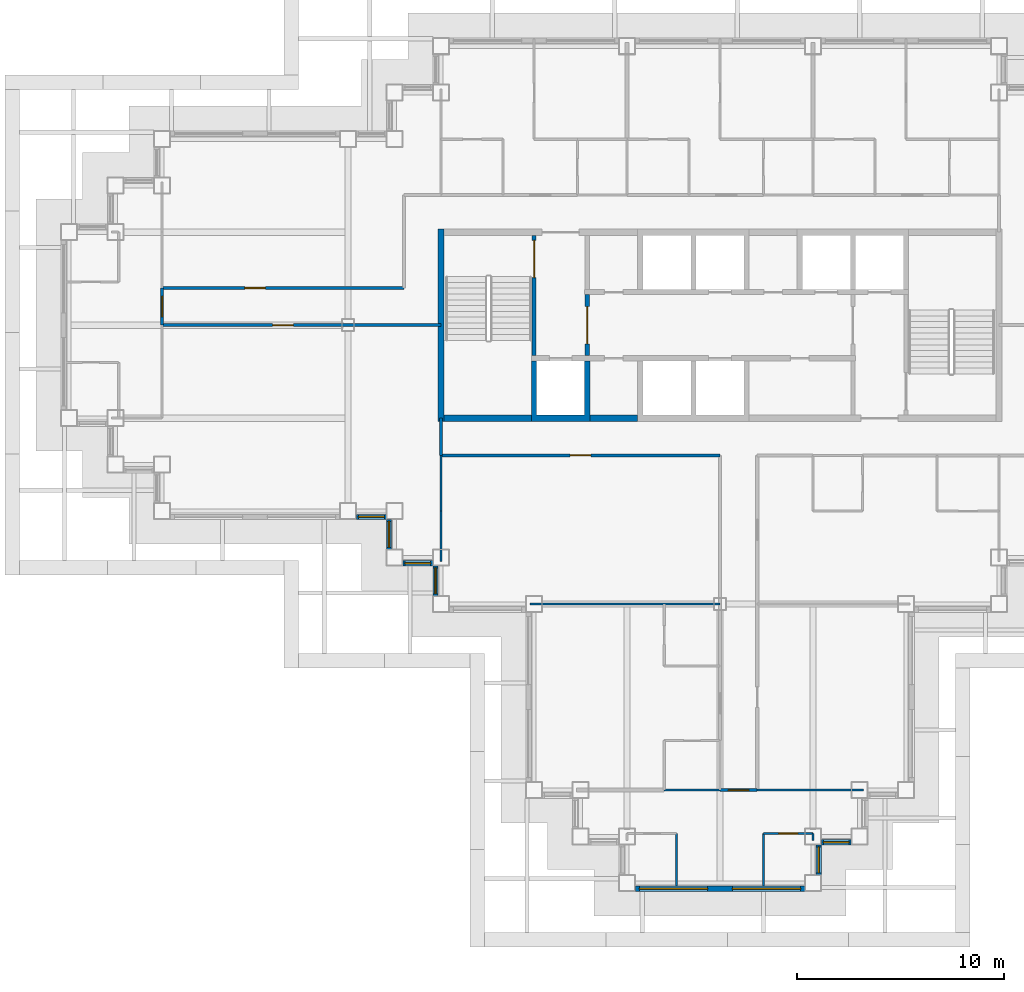
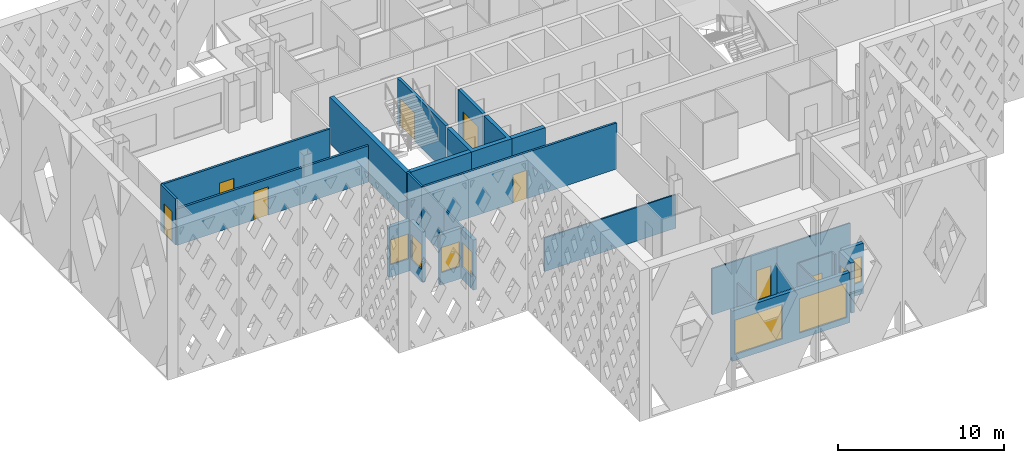
# One storey, part 4 of 18: 28 walls, 8 doors, 8 windows, 16 openings.
"""IFC4 building model written with IfcOpenShell, lengths in metres."""

import ifcopenshell
import ifcopenshell.guid

model = None  # the IFC model being written
_history = None  # IfcOwnerHistory: only IFC2X3 demands one
_inside = {}  # id of a spatial element -> (the spatial element, [elements in it])
_under = {}  # id of a project, library or spatial element -> (it, [spatial elements below it])
_declared = {}  # id of a project -> (the project, [libraries it declares])
_typed = {}  # id of a type object -> (the type object, [elements of that type])
_made_of = {}  # id of a material, layer set ... -> (it, [elements and type objects made of it])


def new_model(schema):
    """Start an empty IFC model of exactly this schema.

    Asked for "IFC4X3", IfcOpenShell would pick the latest addendum, in which some entities
    have other attributes; the version numbers below select the first issue.
    IFC2X3 requires an IfcOwnerHistory on every rooted entity: one is made here for all.
    """
    global model, _history
    if schema == "IFC4X3":
        model = ifcopenshell.file(schema_version=(4, 3, 0, 0))
    else:
        model = ifcopenshell.file(schema=schema)
    _inside.clear()
    _under.clear()
    _declared.clear()
    _typed.clear()
    _made_of.clear()
    _history = None
    if model.schema == "IFC2X3":
        org = make("IfcOrganization", Name="unknown")
        user = make(
            "IfcPersonAndOrganization",
            ThePerson=make("IfcPerson", FamilyName="unknown"),
            TheOrganization=org,
        )
        app = make(
            "IfcApplication",
            ApplicationDeveloper=org,
            Version="unknown",
            ApplicationFullName="unknown",
            ApplicationIdentifier="unknown",
        )
        _history = make(
            "IfcOwnerHistory",
            OwningUser=user,
            OwningApplication=app,
            ChangeAction="ADDED",
            CreationDate=0,
        )
    return model


def make(cls, **values):
    """One entity of the class cls with the attributes given. An attribute that is None is left unset."""
    return model.create_entity(
        cls, **{name: value for name, value in values.items() if value is not None}
    )


def rooted(cls, **values):
    """An entity with a GlobalId (a new one), such as an element, a storey or a relation."""
    return make(cls, GlobalId=ifcopenshell.guid.new(), OwnerHistory=_history, **values)


def si_unit(unit_type, name, prefix=None):
    """IfcSIUnit, for example si_unit("LENGTHUNIT", "METRE", prefix="MILLI")."""
    return make("IfcSIUnit", UnitType=unit_type, Prefix=prefix, Name=name)


def assignment(units):
    """IfcUnitAssignment: the units of a project."""
    return None if units is None else make("IfcUnitAssignment", Units=units)


def point(xyz):
    """IfcCartesianPoint."""
    return None if xyz is None else make("IfcCartesianPoint", Coordinates=xyz)


def direction(xyz):
    """IfcDirection."""
    return None if xyz is None else make("IfcDirection", DirectionRatios=xyz)


def frame(location, z_axis=None, x_axis=None):
    """IfcAxis2Placement3D, a coordinate frame: its origin and axes. An axis left out is left unset."""
    return make(
        "IfcAxis2Placement3D",
        Location=point(location),
        Axis=direction(z_axis),
        RefDirection=direction(x_axis),
    )


def frame_2d(location, x_axis=None):
    """IfcAxis2Placement2D, a coordinate frame in the plane: its origin and x axis."""
    return make(
        "IfcAxis2Placement2D", Location=point(location), RefDirection=direction(x_axis)
    )


def origin():
    """The frame at (0, 0, 0) with its axes left unset."""
    return frame((0.0, 0.0, 0.0))


def place(relative_to, where):
    """IfcLocalPlacement: puts the frame where relative to a parent placement (None: the world)."""
    return make(
        "IfcLocalPlacement", PlacementRelTo=relative_to, RelativePlacement=where
    )


def context(
    kind, dimensions, precision=None, world=None, true_north=None, identifier=None
):
    """IfcGeometricRepresentationContext, for example the 3D "Model" context."""
    return make(
        "IfcGeometricRepresentationContext",
        ContextIdentifier=identifier,
        ContextType=kind,
        CoordinateSpaceDimension=dimensions,
        Precision=precision,
        WorldCoordinateSystem=world,
        TrueNorth=true_north,
    )


def subcontext(parent, identifier, kind, view, scale=None):
    """IfcGeometricRepresentationSubContext, for example "Body" below "Model"."""
    return make(
        "IfcGeometricRepresentationSubContext",
        ContextIdentifier=identifier,
        ContextType=kind,
        ParentContext=parent,
        TargetScale=scale,
        TargetView=view,
    )


def project(units=None, contexts=None):
    """IfcProject with its units and contexts."""
    return rooted(
        "IfcProject",
        Name="project",
        RepresentationContexts=contexts,
        UnitsInContext=assignment(units),
    )


def spatial(cls, under=None, at=None, **own):
    """A site, building, storey or space (cls), placed at a placement, below another one or the project."""
    s = rooted(cls, ObjectPlacement=at, **own)
    if under is not None:
        _under.setdefault(under.id(), (under, []))[1].append(s)
    return s


def polyline(points):
    """IfcPolyline through the points."""
    return make("IfcPolyline", Points=[point(p) for p in points])


def profile(cls, at=None, kind="AREA", **sizes):
    """A parametric profile (cls). Its sizes go by their IFC names, for example OverallWidth=200.0."""
    return make(cls, ProfileType=kind, Position=at, **sizes)


def rectangle(**sizes):
    """IfcRectangleProfileDef."""
    return profile("IfcRectangleProfileDef", **sizes)


def outline(outer, holes=None, kind="AREA"):
    """IfcArbitraryClosedProfileDef: a profile drawn as a closed curve; with holes, ...WithVoids."""
    if holes is None:
        return make("IfcArbitraryClosedProfileDef", ProfileType=kind, OuterCurve=outer)
    return make(
        "IfcArbitraryProfileDefWithVoids",
        ProfileType=kind,
        OuterCurve=outer,
        InnerCurves=holes,
    )


def extrude(swept, where, along, depth):
    """IfcExtrudedAreaSolid: the profile swept, set in the frame where, extruded along a direction by depth."""
    return make(
        "IfcExtrudedAreaSolid",
        SweptArea=swept,
        Position=where,
        ExtrudedDirection=direction(along),
        Depth=depth,
    )


def shape(context_of_items, identifier, shape_type, items):
    """IfcShapeRepresentation: the items that make up one representation, for example the "Body"."""
    return make(
        "IfcShapeRepresentation",
        ContextOfItems=context_of_items,
        RepresentationIdentifier=identifier,
        RepresentationType=shape_type,
        Items=items,
    )


def material(Name=None, Category=None):
    """IfcMaterial."""
    return make("IfcMaterial", Name=Name, Category=Category)


def layer(
    of_material, thickness, ventilated=None, Name=None, Category=None, Priority=None
):
    """IfcMaterialLayer: one layer of a wall or slab, of a material (None: an air gap)."""
    return make(
        "IfcMaterialLayer",
        Material=of_material,
        LayerThickness=thickness,
        IsVentilated=ventilated,
        Name=Name,
        Category=Category,
        Priority=Priority,
    )


def layer_set(layers, Name=None):
    """IfcMaterialLayerSet."""
    return make("IfcMaterialLayerSet", MaterialLayers=layers, LayerSetName=Name)


def made_of(thing, what):
    """Note that an element or type object is made of a material, layer set ...; save() writes the relation."""
    if what is not None:
        _made_of.setdefault(what.id(), (what, []))[1].append(thing)
    return thing


def type_object(cls, material=None, **own):
    """A type object (cls), such as IfcWallType, which elements share."""
    return made_of(rooted(cls, **own), material)


def element(
    cls,
    number,
    at=None,
    inside=None,
    cuts=None,
    type_object=None,
    material=None,
    context=None,
    identifier="Body",
    shape_type=None,
    held_by="IfcProductDefinitionShape",
    body=None,
    shapes=None,
    **own,
):
    """One element of the class cls, such as IfcWall. Its Tag is "e" and its number.

    at: its placement. inside: the storey or other place that contains it. cuts: it is an
    opening in that element (IfcRelVoidsElement). A single representation is given by context,
    identifier, shape_type and body (its items); several are given by shapes. held_by: the class
    of the entity that holds the representations. save() writes the other relations.
    """
    e = rooted(cls, Tag="e%d" % number, ObjectPlacement=at, **own)
    if body is not None:
        shapes = [shape(context, identifier, shape_type, body)]
    if shapes is not None:
        e.Representation = make(held_by, Representations=shapes)
    if inside is not None:
        _inside.setdefault(inside.id(), (inside, []))[1].append(e)
    if cuts is not None:
        rooted(
            "IfcRelVoidsElement", RelatingBuildingElement=cuts, RelatedOpeningElement=e
        )
    if type_object is not None:
        _typed.setdefault(type_object.id(), (type_object, []))[1].append(e)
    return made_of(e, material)


def fill(opening, filler):
    """IfcRelFillsElement: the door or window that sits in an opening."""
    return rooted(
        "IfcRelFillsElement",
        RelatingOpeningElement=opening,
        RelatedBuildingElement=filler,
    )


def aggregate(whole, parts):
    """IfcRelAggregates: a whole, such as a stair, and the parts it consists of."""
    return rooted("IfcRelAggregates", RelatingObject=whole, RelatedObjects=parts)


def save(model, path):
    """Write the relations noted so far, then the file.

    IfcRelAggregates (storeys below a building ...), IfcRelContainedInSpatialStructure (elements
    in a storey), IfcRelDefinesByType, IfcRelAssociatesMaterial and IfcRelDeclares: one each for
    every whole, place, type object, material and project.
    """
    for whole, parts in _under.values():
        aggregate(whole, parts)
    for where, things in _inside.values():
        rooted(
            "IfcRelContainedInSpatialStructure",
            RelatedElements=things,
            RelatingStructure=where,
        )
    for kind, things in _typed.values():
        rooted("IfcRelDefinesByType", RelatedObjects=things, RelatingType=kind)
    for what, things in _made_of.values():
        rooted("IfcRelAssociatesMaterial", RelatedObjects=things, RelatingMaterial=what)
    for by, libraries in _declared.values():
        rooted("IfcRelDeclares", RelatingContext=by, RelatedDefinitions=libraries)
    model.write(path)


model = new_model("IFC4")

# Units and contexts
model_context = context("Model", 3, precision=1e-05, world=origin(), true_north=direction((0.0, 1.0)))
body_context = subcontext(model_context, "Body", "Model", "MODEL_VIEW")
ifc_project = project(units=[si_unit("LENGTHUNIT", "METRE"), si_unit("AREAUNIT", "SQUARE_METRE"), si_unit("VOLUMEUNIT", "CUBIC_METRE"), si_unit("PLANEANGLEUNIT", "RADIAN"), si_unit("MASSUNIT", "GRAM", prefix="KILO")], contexts=[model_context])

# Site, building, storey
site_placement = place(None, origin())
site = spatial("IfcSite", under=ifc_project, at=site_placement, CompositionType="ELEMENT")
building_placement = place(site_placement, origin())
building = spatial("IfcBuilding", under=site, at=building_placement, Name="Caravel Reach Hotel and Residences", CompositionType="ELEMENT")
storey_placement = place(building_placement, frame((0.0, 0.0, 165.39990234375)))
storey = spatial("IfcBuildingStorey", under=building, at=storey_placement, Name="L41", CompositionType="ELEMENT", Elevation=165.39990234375)

# Walls
ifc_material_1 = material(Name="Gypsum board on steel stud", Category="steel")
ifc_layer_1 = layer(ifc_material_1, 0.10009765625)
ifc_layer_set_1 = layer_set([ifc_layer_1], Name="Bathroom pod wall 100 mm")
wall_type_1 = type_object("IfcWallType", Name="Bathroom pod wall 100 mm", PredefinedType="PARTITIONING", material=ifc_layer_set_1)
wall_1_placement = place(storey_placement, frame((28.800048828125, 4.5, 0.0), z_axis=(0.0, 0.0, 1.0), x_axis=(1.0, 0.0, 0.0)))
element("IfcWall", 1, at=wall_1_placement, inside=storey, type_object=wall_type_1, Name="L41 wall w089", PredefinedType="PARTITIONING", context=body_context, shape_type="SweptSolid", body=[
    extrude(rectangle(XDim=2.699951171875, YDim=0.10009765625, at=frame_2d((1.35009765625, 0.0))), origin(), (0.0, 0.0, 1.0), 3.400146484375),
])
wall_2_placement = place(storey_placement, frame((29.39990234375, -0.14990234375, 0.0), z_axis=(0.0, 0.0, 1.0), x_axis=(0.0, 1.0, 0.0)))
element("IfcWall", 2, at=wall_2_placement, inside=storey, type_object=wall_type_1, Name="L41 wall w096", PredefinedType="PARTITIONING", context=body_context, shape_type="SweptSolid", body=[
    extrude(rectangle(XDim=2.5498046875, YDim=0.10009765625, at=frame_2d((1.27490234375, 0.0))), origin(), (0.0, 0.0, 1.0), 3.400146484375),
])
ifc_material_2 = material(Name="Concrete C60", Category="concrete")
ifc_layer_2 = layer(ifc_material_2, 0.300048828125)
ifc_layer_set_2 = layer_set([ifc_layer_2], Name="Core wall 300 mm EI 120")
wall_type_2 = type_object("IfcWallType", Name="Core wall 300 mm EI 120", PredefinedType="SHEAR", material=ifc_layer_set_2)
wall_3_placement = place(storey_placement, frame((18.14990234375, 22.5, 0.0), z_axis=(0.0, 0.0, 1.0), x_axis=(1.0, 0.0, 0.0)))
element("IfcWall", 3, at=wall_3_placement, inside=storey, type_object=wall_type_2, Name="L41 core wall S1", PredefinedType="SHEAR", context=body_context, shape_type="SweptSolid", body=[
    extrude(rectangle(XDim=4.22509765625, YDim=0.300048828125, at=frame_2d((2.112548828125, 0.0))), origin(), (0.0, 0.0, 1.0), 3.400146484375),
])
wall_4_placement = place(storey_placement, frame((25.196533203125, 22.5, 0.0), z_axis=(0.0, 0.0, 1.0), x_axis=(1.0, 0.0, 0.0)))
element("IfcWall", 4, at=wall_4_placement, inside=storey, type_object=wall_type_2, Name="L41 core wall S2", PredefinedType="SHEAR", context=body_context, shape_type="SweptSolid", body=[
    extrude(rectangle(XDim=2.3212890625, YDim=0.300048828125, at=frame_2d((1.16064453125, 0.0))), origin(), (0.0, 0.0, 1.0), 3.400146484375),
])
wall_5_placement = place(storey_placement, frame((18.0, 22.35009765625, 0.0), z_axis=(0.0, 0.0, 1.0), x_axis=(0.0, 1.0, 0.0)))
element("IfcWall", 5, at=wall_5_placement, inside=storey, type_object=wall_type_2, Name="L41 core wall W", PredefinedType="SHEAR", context=body_context, shape_type="SweptSolid", body=[
    extrude(rectangle(XDim=9.2998046875, YDim=0.300048828125, at=frame_2d((4.64990234375, 0.0))), origin(), (0.0, 0.0, 1.0), 3.400146484375),
])

# Wall, opening, door
ifc_material_3 = material(Name="Gypsum board on steel stud, fire-rated", Category="steel")
ifc_layer_3 = layer(ifc_material_3, 0.14990234375)
ifc_layer_set_3 = layer_set([ifc_layer_3], Name="Corridor wall 150 mm EI 60")
wall_type_3 = type_object("IfcWallType", Name="Corridor wall 150 mm EI 60", PredefinedType="PARTITIONING", material=ifc_layer_set_3)
wall_6_placement = place(storey_placement, frame((18.0, 20.699951171875, 0.0), z_axis=(0.0, 0.0, 1.0), x_axis=(1.0, 0.0, 0.0)))
wall_6 = element("IfcWall", 6, at=wall_6_placement, inside=storey, type_object=wall_type_3, Name="L41 wall w005", PredefinedType="PARTITIONING", context=body_context, shape_type="SweptSolid", body=[
    extrude(rectangle(XDim=13.5, YDim=0.14990234375, at=frame_2d((6.75, 0.0))), origin(), (0.0, 0.0, 1.0), 3.400146484375),
])
opening_1_placement = place(wall_6_placement, frame((6.25, 0.0, 0.0)))
opening_1 = element("IfcOpeningElement", 7, at=opening_1_placement, cuts=wall_6, Name="Opening D41-032", PredefinedType="OPENING", context=body_context, shape_type="SweptSolid", body=[
    extrude(rectangle(XDim=1.0, YDim=2.10009765625, at=frame_2d((0.5, 1.050048828125))), frame((0.0, 0.0849609375, 0.0), z_axis=(0.0, -1.0, 0.0), x_axis=(1.0, 0.0, 0.0)), (0.0, 0.0, 1.0), 0.169921875),
])
ifc_material_4 = material(Name="Steel fire door leaf", Category="steel")
door_type_1 = type_object("IfcDoorType", Name="Fire door 1000 x 2100 EI 60", OperationType="SINGLE_SWING_LEFT", PredefinedType="DOOR", material=ifc_material_4)
door_1_placement = place(opening_1_placement, origin())
door_1 = element("IfcDoor", 8, at=door_1_placement, inside=storey, type_object=door_type_1, Name="door D41-032", OperationType="SINGLE_SWING_LEFT", OverallHeight=2.10009765625, OverallWidth=1.0, PredefinedType="DOOR", context=body_context, shape_type="SweptSolid", body=[
    extrude(rectangle(XDim=1.0, YDim=2.10009765625, at=frame_2d((0.5, 1.050048828125))), frame((0.0, 0.02490234375, 0.0), z_axis=(0.0, -1.0, 0.0), x_axis=(1.0, 0.0, 0.0)), (0.0, 0.0, 1.0), 0.050048828125),
])
fill(opening_1, door_1)

wall_7_placement = place(storey_placement, frame((4.5, 27.0, 0.0), z_axis=(0.0, 0.0, 1.0), x_axis=(1.0, 0.0, 0.0)))
wall_7 = element("IfcWall", 9, at=wall_7_placement, inside=storey, type_object=wall_type_3, Name="L41 wall w008", PredefinedType="PARTITIONING", context=body_context, shape_type="SweptSolid", body=[
    extrude(rectangle(XDim=13.5, YDim=0.14990234375, at=frame_2d((6.75, 0.0))), origin(), (0.0, 0.0, 1.0), 2.68017578125),
])
opening_2_placement = place(wall_7_placement, frame((5.35009765625, 0.0, 0.0)))
opening_2 = element("IfcOpeningElement", 10, at=opening_2_placement, cuts=wall_7, Name="Opening D41-029", PredefinedType="OPENING", context=body_context, shape_type="SweptSolid", body=[
    extrude(rectangle(XDim=1.0, YDim=2.10009765625, at=frame_2d((0.5, 1.050048828125))), frame((0.0, 0.0849609375, 0.0), z_axis=(0.0, -1.0, 0.0), x_axis=(1.0, 0.0, 0.0)), (0.0, 0.0, 1.0), 0.169921875),
])
door_2_placement = place(opening_2_placement, origin())
door_2 = element("IfcDoor", 11, at=door_2_placement, inside=storey, type_object=door_type_1, Name="door D41-029", OperationType="SINGLE_SWING_LEFT", OverallHeight=2.10009765625, OverallWidth=1.0, PredefinedType="DOOR", context=body_context, shape_type="SweptSolid", body=[
    extrude(rectangle(XDim=1.0, YDim=2.10009765625, at=frame_2d((0.5, 1.050048828125))), frame((0.0, 0.02490234375, 0.0), z_axis=(0.0, -1.0, 0.0), x_axis=(1.0, 0.0, 0.0)), (0.0, 0.0, 1.0), 0.050048828125),
])
fill(opening_2, door_2)

wall_8_placement = place(storey_placement, frame((4.5, 28.800048828125, 0.0), z_axis=(0.0, 0.0, 1.0), x_axis=(1.0, 0.0, 0.0)))
wall_8 = element("IfcWall", 12, at=wall_8_placement, inside=storey, type_object=wall_type_3, Name="L41 wall w010", PredefinedType="PARTITIONING", context=body_context, shape_type="SweptSolid", body=[
    extrude(rectangle(XDim=11.698974609375, YDim=0.14990234375, at=frame_2d((5.849609375, 0.0))), origin(), (0.0, 0.0, 1.0), 3.400146484375),
])
opening_3_placement = place(wall_8_placement, frame((4.0, 0.0, 0.0)))
opening_3 = element("IfcOpeningElement", 13, at=opening_3_placement, cuts=wall_8, Name="Opening D41-028", PredefinedType="OPENING", context=body_context, shape_type="SweptSolid", body=[
    extrude(rectangle(XDim=1.0, YDim=2.10009765625, at=frame_2d((0.5, 1.050048828125))), frame((0.0, 0.0849609375, 0.0), z_axis=(0.0, -1.0, 0.0), x_axis=(1.0, 0.0, 0.0)), (0.0, 0.0, 1.0), 0.169921875),
])
door_3_placement = place(opening_3_placement, origin())
door_3 = element("IfcDoor", 14, at=door_3_placement, inside=storey, type_object=door_type_1, Name="door D41-028", OperationType="SINGLE_SWING_LEFT", OverallHeight=2.10009765625, OverallWidth=1.0, PredefinedType="DOOR", context=body_context, shape_type="SweptSolid", body=[
    extrude(rectangle(XDim=1.0, YDim=2.10009765625, at=frame_2d((0.5, 1.050048828125))), frame((0.0, 0.02490234375, 0.0), z_axis=(0.0, -1.0, 0.0), x_axis=(1.0, 0.0, 0.0)), (0.0, 0.0, 1.0), 0.050048828125),
])
fill(opening_3, door_3)

wall_9_placement = place(storey_placement, frame((31.5, 4.5, 0.0), z_axis=(0.0, 0.0, 1.0), x_axis=(1.0, 0.0, 0.0)))
wall_9 = element("IfcWall", 15, at=wall_9_placement, inside=storey, type_object=wall_type_3, Name="L41 wall w019", PredefinedType="PARTITIONING", context=body_context, shape_type="SweptSolid", body=[
    extrude(rectangle(XDim=1.800048828125, YDim=0.14990234375, at=frame_2d((0.89990234375, 0.0))), origin(), (0.0, 0.0, 1.0), 3.400146484375),
])
opening_4_placement = place(wall_9_placement, frame((0.39990234375, 0.0, 0.0)))
opening_4 = element("IfcOpeningElement", 16, at=opening_4_placement, cuts=wall_9, Name="Opening D41-046", PredefinedType="OPENING", context=body_context, shape_type="SweptSolid", body=[
    extrude(rectangle(XDim=1.0, YDim=2.199951171875, at=frame_2d((0.5, 1.10009765625))), frame((0.0, 0.0849609375, 0.0), z_axis=(0.0, -1.0, 0.0), x_axis=(1.0, 0.0, 0.0)), (0.0, 0.0, 1.0), 0.169921875),
])
ifc_material_5 = material(Name="Steel fire door leaf", Category="steel")
door_type_2 = type_object("IfcDoorType", Name="Flat entrance door 1000 x 2200 EI 60", OperationType="SINGLE_SWING_LEFT", PredefinedType="DOOR", material=ifc_material_5)
door_4_placement = place(opening_4_placement, origin())
door_4 = element("IfcDoor", 17, at=door_4_placement, inside=storey, type_object=door_type_2, Name="door D41-046", OperationType="SINGLE_SWING_LEFT", OverallHeight=2.199951171875, OverallWidth=1.0, PredefinedType="DOOR", context=body_context, shape_type="SweptSolid", body=[
    extrude(rectangle(XDim=1.0, YDim=2.199951171875, at=frame_2d((0.5, 1.10009765625))), frame((0.0, 0.02490234375, 0.0), z_axis=(0.0, -1.0, 0.0), x_axis=(1.0, 0.0, 0.0)), (0.0, 0.0, 1.0), 0.050048828125),
])
fill(opening_4, door_4)

# Wall
wall_10_placement = place(storey_placement, frame((18.0, 20.699951171875, 0.0), z_axis=(0.0, 0.0, 1.0), x_axis=(0.0, 1.0, 0.0)))
element("IfcWall", 18, at=wall_10_placement, inside=storey, type_object=wall_type_3, Name="L41 wall w021", PredefinedType="PARTITIONING", context=body_context, shape_type="SweptSolid", body=[
    extrude(rectangle(XDim=1.800048828125, YDim=0.14990234375, at=frame_2d((0.89990234375, 0.0))), origin(), (0.0, 0.0, 1.0), 3.400146484375),
])

# Wall, opening, door
wall_11_placement = place(storey_placement, frame((4.5, 27.0, 0.0), z_axis=(0.0, 0.0, 1.0), x_axis=(0.0, 1.0, 0.0)))
wall_11 = element("IfcWall", 19, at=wall_11_placement, inside=storey, type_object=wall_type_3, Name="L41 wall w027", PredefinedType="PARTITIONING", context=body_context, shape_type="SweptSolid", body=[
    extrude(rectangle(XDim=1.800048828125, YDim=0.14990234375, at=frame_2d((0.89990234375, 0.0))), origin(), (0.0, 0.0, 1.0), 3.400146484375),
])
opening_5_placement = place(wall_11_placement, frame((0.39990234375, 0.0, 0.0)))
opening_5 = element("IfcOpeningElement", 20, at=opening_5_placement, cuts=wall_11, Name="Opening D41-040", PredefinedType="OPENING", context=body_context, shape_type="SweptSolid", body=[
    extrude(rectangle(XDim=1.0, YDim=2.199951171875, at=frame_2d((0.5, 1.10009765625))), frame((0.0, 0.0849609375, 0.0), z_axis=(0.0, -1.0, 0.0), x_axis=(1.0, 0.0, 0.0)), (0.0, 0.0, 1.0), 0.169921875),
])
door_5_placement = place(opening_5_placement, origin())
door_5 = element("IfcDoor", 21, at=door_5_placement, inside=storey, type_object=door_type_2, Name="door D41-040", OperationType="SINGLE_SWING_LEFT", OverallHeight=2.199951171875, OverallWidth=1.0, PredefinedType="DOOR", context=body_context, shape_type="SweptSolid", body=[
    extrude(rectangle(XDim=1.0, YDim=2.199951171875, at=frame_2d((0.5, 1.10009765625))), frame((0.0, 0.02490234375, 0.0), z_axis=(0.0, -1.0, 0.0), x_axis=(1.0, 0.0, 0.0)), (0.0, 0.0, 1.0), 0.050048828125),
])
fill(opening_5, door_5)

# Wall, openings, windows
ifc_material_6 = material(Name="Insulated rainscreen wall, aluminium cladding", Category="aluminium")
ifc_layer_4 = layer(ifc_material_6, 0.25)
ifc_layer_set_4 = layer_set([ifc_layer_4], Name="EW1 Tower rainscreen wall")
wall_type_4 = type_object("IfcWallType", Name="EW1 Tower rainscreen wall", PredefinedType="SOLIDWALL", material=ifc_layer_set_4)
wall_12_placement = place(storey_placement, frame((27.39990234375, -0.27490234375, 0.0), z_axis=(0.0, 0.0, 1.0), x_axis=(1.0, 0.0, 0.0)))
wall_12 = element("IfcWall", 22, at=wall_12_placement, inside=storey, type_object=wall_type_4, Name="External wall L41 S5.1", PredefinedType="SOLIDWALL", context=body_context, shape_type="SweptSolid", body=[
    extrude(rectangle(XDim=8.2001953125, YDim=0.25, at=frame_2d((4.10009765625, 0.0))), origin(), (0.0, 0.0, 1.0), 3.7001953125),
])
opening_6_placement = place(wall_12_placement, frame((0.199951171875, 0.0, 0.449951171875)))
opening_6 = element("IfcOpeningElement", 23, at=opening_6_placement, cuts=wall_12, Name="Opening WN14", PredefinedType="OPENING", context=body_context, shape_type="SweptSolid", body=[
    extrude(rectangle(XDim=3.300048828125, YDim=2.530029296875, at=frame_2d((1.64990234375, 1.26513671875))), frame((0.0, 0.135009765625, 0.0), z_axis=(0.0, -1.0, 0.0), x_axis=(1.0, 0.0, 0.0)), (0.0, 0.0, 1.0), 0.27001953125),
])
opening_7_placement = place(wall_12_placement, frame((4.699951171875, 0.0, 0.449951171875)))
opening_7 = element("IfcOpeningElement", 24, at=opening_7_placement, cuts=wall_12, Name="Opening WN14", PredefinedType="OPENING", context=body_context, shape_type="SweptSolid", body=[
    extrude(rectangle(XDim=3.300048828125, YDim=2.530029296875, at=frame_2d((1.64990234375, 1.26513671875))), frame((0.0, 0.135009765625, 0.0), z_axis=(0.0, -1.0, 0.0), x_axis=(1.0, 0.0, 0.0)), (0.0, 0.0, 1.0), 0.27001953125),
])
ifc_material_7 = material(Name="Dark low-e glazing in black aluminium frame", Category="aluminium")
window_type_1 = type_object("IfcWindowType", Name="Residence living window 3300 x 2530", PartitioningType="SINGLE_PANEL", PredefinedType="WINDOW", material=ifc_material_7)
window_1_placement = place(opening_6_placement, origin())
window_1 = element("IfcWindow", 25, at=window_1_placement, inside=storey, type_object=window_type_1, Name="Window L41 S5.1.1", OverallHeight=2.530029296875, OverallWidth=3.300048828125, PartitioningType="SINGLE_PANEL", PredefinedType="WINDOW", context=body_context, shape_type="SweptSolid", body=[
    extrude(rectangle(XDim=3.300048828125, YDim=2.530029296875, at=frame_2d((1.64990234375, 1.26513671875))), frame((0.0, 0.030029296875, 0.0), z_axis=(0.0, -1.0, 0.0), x_axis=(1.0, 0.0, 0.0)), (0.0, 0.0, 1.0), 0.06005859375),
])
fill(opening_6, window_1)
window_2_placement = place(opening_7_placement, origin())
window_2 = element("IfcWindow", 26, at=window_2_placement, inside=storey, type_object=window_type_1, Name="Window L41 S5.1.2", OverallHeight=2.530029296875, OverallWidth=3.300048828125, PartitioningType="SINGLE_PANEL", PredefinedType="WINDOW", context=body_context, shape_type="SweptSolid", body=[
    extrude(rectangle(XDim=3.300048828125, YDim=2.530029296875, at=frame_2d((1.64990234375, 1.26513671875))), frame((0.0, 0.030029296875, 0.0), z_axis=(0.0, -1.0, 0.0), x_axis=(1.0, 0.0, 0.0)), (0.0, 0.0, 1.0), 0.06005859375),
])
fill(opening_7, window_2)

# Wall, opening, window
wall_13_placement = place(storey_placement, frame((36.27490234375, 0.39990234375, 0.0), z_axis=(0.0, 0.0, 1.0), x_axis=(0.0, 1.0, 0.0)))
wall_13 = element("IfcWall", 27, at=wall_13_placement, inside=storey, type_object=wall_type_4, Name="External wall L41 E6.1", PredefinedType="SOLIDWALL", context=body_context, shape_type="SweptSolid", body=[
    extrude(rectangle(XDim=1.4501953125, YDim=0.25, at=frame_2d((0.72509765625, 0.0))), origin(), (0.0, 0.0, 1.0), 3.7001953125),
])
opening_8_placement = place(wall_13_placement, frame((0.10009765625, 0.0, 0.89990234375)))
opening_8 = element("IfcOpeningElement", 28, at=opening_8_placement, cuts=wall_13, Name="Opening WN13", PredefinedType="OPENING", context=body_context, shape_type="SweptSolid", body=[
    extrude(rectangle(XDim=1.25, YDim=1.85009765625, at=frame_2d((0.625, 0.925048828125))), frame((0.0, 0.135009765625, 0.0), z_axis=(0.0, -1.0, 0.0), x_axis=(1.0, 0.0, 0.0)), (0.0, 0.0, 1.0), 0.27001953125),
])
ifc_material_8 = material(Name="Dark low-e glazing in black aluminium frame", Category="aluminium")
window_type_2 = type_object("IfcWindowType", Name="Residence bedroom window 1250 x 1850", PartitioningType="SINGLE_PANEL", PredefinedType="WINDOW", material=ifc_material_8)
window_3_placement = place(opening_8_placement, origin())
window_3 = element("IfcWindow", 29, at=window_3_placement, inside=storey, type_object=window_type_2, Name="Window L41 E6.1.1", OverallHeight=1.85009765625, OverallWidth=1.25, PartitioningType="SINGLE_PANEL", PredefinedType="WINDOW", context=body_context, shape_type="SweptSolid", body=[
    extrude(rectangle(XDim=1.25, YDim=1.85009765625, at=frame_2d((0.625, 0.925048828125))), frame((0.0, 0.030029296875, 0.0), z_axis=(0.0, -1.0, 0.0), x_axis=(1.0, 0.0, 0.0)), (0.0, 0.0, 1.0), 0.06005859375),
])
fill(opening_8, window_3)

wall_14_placement = place(storey_placement, frame((36.39990234375, 1.97509765625, 0.0), z_axis=(0.0, 0.0, 1.0), x_axis=(1.0, 0.0, 0.0)))
wall_14 = element("IfcWall", 30, at=wall_14_placement, inside=storey, type_object=wall_type_4, Name="External wall L41 S7.1", PredefinedType="SOLIDWALL", context=body_context, shape_type="SweptSolid", body=[
    extrude(rectangle(XDim=1.4501953125, YDim=0.25, at=frame_2d((0.72509765625, 0.0))), origin(), (0.0, 0.0, 1.0), 3.7001953125),
])
opening_9_placement = place(wall_14_placement, frame((0.10009765625, 0.0, 0.89990234375)))
opening_9 = element("IfcOpeningElement", 31, at=opening_9_placement, cuts=wall_14, Name="Opening WN13", PredefinedType="OPENING", context=body_context, shape_type="SweptSolid", body=[
    extrude(rectangle(XDim=1.25, YDim=1.85009765625, at=frame_2d((0.625, 0.925048828125))), frame((0.0, 0.135009765625, 0.0), z_axis=(0.0, -1.0, 0.0), x_axis=(1.0, 0.0, 0.0)), (0.0, 0.0, 1.0), 0.27001953125),
])
window_4_placement = place(opening_9_placement, origin())
window_4 = element("IfcWindow", 32, at=window_4_placement, inside=storey, type_object=window_type_2, Name="Window L41 S7.1.1", OverallHeight=1.85009765625, OverallWidth=1.25, PartitioningType="SINGLE_PANEL", PredefinedType="WINDOW", context=body_context, shape_type="SweptSolid", body=[
    extrude(rectangle(XDim=1.25, YDim=1.85009765625, at=frame_2d((0.625, 0.925048828125))), frame((0.0, 0.030029296875, 0.0), z_axis=(0.0, -1.0, 0.0), x_axis=(1.0, 0.0, 0.0)), (0.0, 0.0, 1.0), 0.06005859375),
])
fill(opening_9, window_4)

wall_15_placement = place(storey_placement, frame((13.89990234375, 17.72509765625, 0.0), z_axis=(0.0, 0.0, 1.0), x_axis=(1.0, 0.0, 0.0)))
wall_15 = element("IfcWall", 33, at=wall_15_placement, inside=storey, type_object=wall_type_4, Name="External wall L41 S43.2", PredefinedType="SOLIDWALL", context=body_context, shape_type="SweptSolid", body=[
    extrude(rectangle(XDim=1.4501953125, YDim=0.25, at=frame_2d((0.72509765625, 0.0))), origin(), (0.0, 0.0, 1.0), 3.7001953125),
])
opening_10_placement = place(wall_15_placement, frame((0.10009765625, 0.0, 0.89990234375)))
opening_10 = element("IfcOpeningElement", 34, at=opening_10_placement, cuts=wall_15, Name="Opening WN13", PredefinedType="OPENING", context=body_context, shape_type="SweptSolid", body=[
    extrude(rectangle(XDim=1.25, YDim=1.85009765625, at=frame_2d((0.625, 0.925048828125))), frame((0.0, 0.135009765625, 0.0), z_axis=(0.0, -1.0, 0.0), x_axis=(1.0, 0.0, 0.0)), (0.0, 0.0, 1.0), 0.27001953125),
])
window_5_placement = place(opening_10_placement, origin())
window_5 = element("IfcWindow", 35, at=window_5_placement, inside=storey, type_object=window_type_2, Name="Window L41 S43.2.1", OverallHeight=1.85009765625, OverallWidth=1.25, PartitioningType="SINGLE_PANEL", PredefinedType="WINDOW", context=body_context, shape_type="SweptSolid", body=[
    extrude(rectangle(XDim=1.25, YDim=1.85009765625, at=frame_2d((0.625, 0.925048828125))), frame((0.0, 0.030029296875, 0.0), z_axis=(0.0, -1.0, 0.0), x_axis=(1.0, 0.0, 0.0)), (0.0, 0.0, 1.0), 0.06005859375),
])
fill(opening_10, window_5)

wall_16_placement = place(storey_placement, frame((15.47509765625, 17.60009765625, 0.0), z_axis=(0.0, 0.0, 1.0), x_axis=(0.0, -1.0, 0.0)))
wall_16 = element("IfcWall", 36, at=wall_16_placement, inside=storey, type_object=wall_type_4, Name="External wall L41 W44.1", PredefinedType="SOLIDWALL", context=body_context, shape_type="SweptSolid", body=[
    extrude(rectangle(XDim=1.4501953125, YDim=0.25, at=frame_2d((0.72509765625, 0.0))), origin(), (0.0, 0.0, 1.0), 3.7001953125),
])
opening_11_placement = place(wall_16_placement, frame((0.10009765625, 0.0, 0.89990234375)))
opening_11 = element("IfcOpeningElement", 37, at=opening_11_placement, cuts=wall_16, Name="Opening WN13", PredefinedType="OPENING", context=body_context, shape_type="SweptSolid", body=[
    extrude(rectangle(XDim=1.25, YDim=1.85009765625, at=frame_2d((0.625, 0.925048828125))), frame((0.0, 0.135009765625, 0.0), z_axis=(0.0, -1.0, 0.0), x_axis=(1.0, 0.0, 0.0)), (0.0, 0.0, 1.0), 0.27001953125),
])
window_6_placement = place(opening_11_placement, origin())
window_6 = element("IfcWindow", 38, at=window_6_placement, inside=storey, type_object=window_type_2, Name="Window L41 W44.1.1", OverallHeight=1.85009765625, OverallWidth=1.25, PartitioningType="SINGLE_PANEL", PredefinedType="WINDOW", context=body_context, shape_type="SweptSolid", body=[
    extrude(rectangle(XDim=1.25, YDim=1.85009765625, at=frame_2d((0.625, 0.925048828125))), frame((0.0, 0.030029296875, 0.0), z_axis=(0.0, -1.0, 0.0), x_axis=(1.0, 0.0, 0.0)), (0.0, 0.0, 1.0), 0.06005859375),
])
fill(opening_11, window_6)

wall_17_placement = place(storey_placement, frame((16.14990234375, 15.47509765625, 0.0), z_axis=(0.0, 0.0, 1.0), x_axis=(1.0, 0.0, 0.0)))
wall_17 = element("IfcWall", 39, at=wall_17_placement, inside=storey, type_object=wall_type_4, Name="External wall L41 S45.1", PredefinedType="SOLIDWALL", context=body_context, shape_type="SweptSolid", body=[
    extrude(rectangle(XDim=1.4501953125, YDim=0.25, at=frame_2d((0.72509765625, 0.0))), origin(), (0.0, 0.0, 1.0), 3.7001953125),
])
opening_12_placement = place(wall_17_placement, frame((0.10009765625, 0.0, 0.89990234375)))
opening_12 = element("IfcOpeningElement", 40, at=opening_12_placement, cuts=wall_17, Name="Opening WN13", PredefinedType="OPENING", context=body_context, shape_type="SweptSolid", body=[
    extrude(rectangle(XDim=1.25, YDim=1.85009765625, at=frame_2d((0.625, 0.925048828125))), frame((0.0, 0.135009765625, 0.0), z_axis=(0.0, -1.0, 0.0), x_axis=(1.0, 0.0, 0.0)), (0.0, 0.0, 1.0), 0.27001953125),
])
window_7_placement = place(opening_12_placement, origin())
window_7 = element("IfcWindow", 41, at=window_7_placement, inside=storey, type_object=window_type_2, Name="Window L41 S45.1.1", OverallHeight=1.85009765625, OverallWidth=1.25, PartitioningType="SINGLE_PANEL", PredefinedType="WINDOW", context=body_context, shape_type="SweptSolid", body=[
    extrude(rectangle(XDim=1.25, YDim=1.85009765625, at=frame_2d((0.625, 0.925048828125))), frame((0.0, 0.030029296875, 0.0), z_axis=(0.0, -1.0, 0.0), x_axis=(1.0, 0.0, 0.0)), (0.0, 0.0, 1.0), 0.06005859375),
])
fill(opening_12, window_7)

wall_18_placement = place(storey_placement, frame((17.72509765625, 15.35009765625, 0.0), z_axis=(0.0, 0.0, 1.0), x_axis=(0.0, -1.0, 0.0)))
wall_18 = element("IfcWall", 42, at=wall_18_placement, inside=storey, type_object=wall_type_4, Name="External wall L41 W46.1", PredefinedType="SOLIDWALL", context=body_context, shape_type="SweptSolid", body=[
    extrude(rectangle(XDim=1.4501953125, YDim=0.25, at=frame_2d((0.72509765625, 0.0))), origin(), (0.0, 0.0, 1.0), 3.7001953125),
])
opening_13_placement = place(wall_18_placement, frame((0.10009765625, 0.0, 0.89990234375)))
opening_13 = element("IfcOpeningElement", 43, at=opening_13_placement, cuts=wall_18, Name="Opening WN13", PredefinedType="OPENING", context=body_context, shape_type="SweptSolid", body=[
    extrude(rectangle(XDim=1.25, YDim=1.85009765625, at=frame_2d((0.625, 0.925048828125))), frame((0.0, 0.135009765625, 0.0), z_axis=(0.0, -1.0, 0.0), x_axis=(1.0, 0.0, 0.0)), (0.0, 0.0, 1.0), 0.27001953125),
])
window_8_placement = place(opening_13_placement, origin())
window_8 = element("IfcWindow", 44, at=window_8_placement, inside=storey, type_object=window_type_2, Name="Window L41 W46.1.1", OverallHeight=1.85009765625, OverallWidth=1.25, PartitioningType="SINGLE_PANEL", PredefinedType="WINDOW", context=body_context, shape_type="SweptSolid", body=[
    extrude(rectangle(XDim=1.25, YDim=1.85009765625, at=frame_2d((0.625, 0.925048828125))), frame((0.0, 0.030029296875, 0.0), z_axis=(0.0, -1.0, 0.0), x_axis=(1.0, 0.0, 0.0)), (0.0, 0.0, 1.0), 0.06005859375),
])
fill(opening_13, window_8)

# Wall, opening, door
ifc_material_9 = material(Name="Autoclaved aerated block wall")
ifc_layer_5 = layer(ifc_material_9, 0.199951171875)
ifc_layer_set_5 = layer_set([ifc_layer_5], Name="Fire lobby wall 200 mm EI 120")
wall_type_5 = type_object("IfcWallType", Name="Fire lobby wall 200 mm EI 120", PredefinedType="PARTITIONING", material=ifc_layer_set_5)
wall_19_placement = place(storey_placement, frame((25.071533203125, 25.52490234375, 0.0), z_axis=(0.0, 0.0, 1.0), x_axis=(0.0, 1.0, 0.0)))
wall_19 = element("IfcWall", 45, at=wall_19_placement, inside=storey, type_object=wall_type_5, Name="L41 lobby W wall", PredefinedType="PARTITIONING", context=body_context, shape_type="SweptSolid", body=[
    extrude(rectangle(XDim=2.9501953125, YDim=0.199951171875, at=frame_2d((1.47509765625, 0.0))), origin(), (0.0, 0.0, 1.0), 3.400146484375),
])
opening_14_placement = place(wall_19_placement, frame((0.574951171875, 0.0, 0.0)))
opening_14 = element("IfcOpeningElement", 46, at=opening_14_placement, cuts=wall_19, Name="Opening D41-012", PredefinedType="OPENING", context=body_context, shape_type="SweptSolid", body=[
    extrude(rectangle(XDim=1.800048828125, YDim=2.10009765625, at=frame_2d((0.89990234375, 1.050048828125))), frame((0.0, 0.10986328125, 0.0), z_axis=(0.0, -1.0, 0.0), x_axis=(1.0, 0.0, 0.0)), (0.0, 0.0, 1.0), 0.219970703125),
])
ifc_material_10 = material(Name="Steel fire door leaf", Category="steel")
door_type_3 = type_object("IfcDoorType", Name="Fire lobby door pair 1800 x 2100 EI 90", OperationType="DOUBLE_DOOR_SINGLE_SWING", PredefinedType="DOOR", material=ifc_material_10)
door_6_placement = place(opening_14_placement, origin())
door_6 = element("IfcDoor", 47, at=door_6_placement, inside=storey, type_object=door_type_3, Name="lobby W door pair", OperationType="DOUBLE_DOOR_SINGLE_SWING", OverallHeight=2.10009765625, OverallWidth=1.800048828125, PredefinedType="DOOR", context=body_context, shape_type="SweptSolid", body=[
    extrude(rectangle(XDim=1.800048828125, YDim=2.10009765625, at=frame_2d((0.89990234375, 1.050048828125))), frame((0.0, 0.02490234375, 0.0), z_axis=(0.0, -1.0, 0.0), x_axis=(1.0, 0.0, 0.0)), (0.0, 0.0, 1.0), 0.050048828125),
])
fill(opening_14, door_6)

# Wall
ifc_material_11 = material(Name="Gypsum board on steel stud", Category="steel")
ifc_layer_6 = layer(ifc_material_11, 0.10009765625)
ifc_layer_set_6 = layer_set([ifc_layer_6], Name="Partition 100 mm")
wall_type_6 = type_object("IfcWallType", Name="Partition 100 mm", PredefinedType="PARTITIONING", material=ifc_layer_set_6)
wall_20_placement = place(storey_placement, frame((22.31005859375, 13.5, 0.0), z_axis=(0.0, 0.0, 1.0), x_axis=(1.0, 0.0, 0.0)))
element("IfcWall", 48, at=wall_20_placement, inside=storey, type_object=wall_type_6, Name="L41 wall w034", PredefinedType="PARTITIONING", context=body_context, shape_type="SweptSolid", body=[
    extrude(rectangle(XDim=9.18994140625, YDim=0.10009765625, at=frame_2d((4.594970703125, 0.0))), origin(), (0.0, 0.0, 1.0), 2.47998046875),
])

# Wall, opening, door
wall_21_placement = place(storey_placement, frame((33.60009765625, 2.39990234375, 0.0), z_axis=(0.0, 0.0, 1.0), x_axis=(1.0, 0.0, 0.0)))
wall_21 = element("IfcWall", 49, at=wall_21_placement, inside=storey, type_object=wall_type_6, Name="L41 wall w037", PredefinedType="PARTITIONING", context=body_context, shape_type="SweptSolid", body=[
    extrude(rectangle(XDim=2.39990234375, YDim=0.10009765625, at=frame_2d((1.199951171875, 0.0))), origin(), (0.0, 0.0, 1.0), 3.400146484375),
])
opening_15_placement = place(wall_21_placement, frame((0.75, 0.0, 0.0)))
opening_15 = element("IfcOpeningElement", 50, at=opening_15_placement, cuts=wall_21, Name="Opening D41-048", PredefinedType="OPENING", context=body_context, shape_type="SweptSolid", body=[
    extrude(rectangle(XDim=0.89990234375, YDim=2.10009765625, at=frame_2d((0.449951171875, 1.050048828125))), frame((0.0, 0.06005859375, 0.0), z_axis=(0.0, -1.0, 0.0), x_axis=(1.0, 0.0, 0.0)), (0.0, 0.0, 1.0), 0.1201171875),
])
ifc_material_12 = material(Name="Timber and steel door leaf", Category="steel")
door_type_4 = type_object("IfcDoorType", Name="Door 900 x 2100 timber", OperationType="SINGLE_SWING_LEFT", PredefinedType="DOOR", material=ifc_material_12)
door_7_placement = place(opening_15_placement, origin())
door_7 = element("IfcDoor", 51, at=door_7_placement, inside=storey, type_object=door_type_4, Name="door D41-048", OperationType="SINGLE_SWING_LEFT", OverallHeight=2.10009765625, OverallWidth=0.89990234375, PredefinedType="DOOR", context=body_context, shape_type="SweptSolid", body=[
    extrude(rectangle(XDim=0.89990234375, YDim=2.10009765625, at=frame_2d((0.449951171875, 1.050048828125))), frame((0.0, 0.02490234375, 0.0), z_axis=(0.0, -1.0, 0.0), x_axis=(1.0, 0.0, 0.0)), (0.0, 0.0, 1.0), 0.050048828125),
])
fill(opening_15, door_7)

# Walls
wall_22_placement = place(storey_placement, frame((33.300048828125, 4.5, 0.0), z_axis=(0.0, 0.0, 1.0), x_axis=(1.0, 0.0, 0.0)))
element("IfcWall", 52, at=wall_22_placement, inside=storey, type_object=wall_type_6, Name="L41 wall w050", PredefinedType="PARTITIONING", context=body_context, shape_type="SweptSolid", body=[
    extrude(rectangle(XDim=5.139892578125, YDim=0.10009765625, at=frame_2d((2.56982421875, 0.0))), origin(), (0.0, 0.0, 1.0), 3.400146484375),
])
wall_23_placement = place(storey_placement, frame((18.0, 15.56005859375, 0.0), z_axis=(0.0, 0.0, 1.0), x_axis=(0.0, 1.0, 0.0)))
element("IfcWall", 53, at=wall_23_placement, inside=storey, type_object=wall_type_6, Name="L41 wall w053", PredefinedType="PARTITIONING", context=body_context, shape_type="SweptSolid", body=[
    extrude(rectangle(XDim=2.43896484375, YDim=0.10009765625, at=frame_2d((1.219482421875, 0.0))), origin(), (0.0, 0.0, 1.0), 3.400146484375),
])
wall_24_placement = place(storey_placement, frame((18.0, 18.0, 0.0), z_axis=(0.0, 0.0, 1.0), x_axis=(0.0, 1.0, 0.0)))
element("IfcWall", 54, at=wall_24_placement, inside=storey, type_object=wall_type_6, Name="L41 wall w054", PredefinedType="PARTITIONING", context=body_context, shape_type="SweptSolid", body=[
    extrude(rectangle(XDim=2.699951171875, YDim=0.10009765625, at=frame_2d((1.35009765625, 0.0))), origin(), (0.0, 0.0, 1.0), 3.400146484375),
])
wall_25_placement = place(storey_placement, frame((33.60009765625, -0.14990234375, 0.0), z_axis=(0.0, 0.0, 1.0), x_axis=(0.0, 1.0, 0.0)))
element("IfcWall", 55, at=wall_25_placement, inside=storey, type_object=wall_type_6, Name="L41 wall w061", PredefinedType="PARTITIONING", context=body_context, shape_type="SweptSolid", body=[
    extrude(rectangle(XDim=2.5498046875, YDim=0.10009765625, at=frame_2d((1.27490234375, 0.0))), origin(), (0.0, 0.0, 1.0), 3.400146484375),
])
wall_26_placement = place(storey_placement, frame((36.0, 2.06005859375, 0.0), z_axis=(0.0, 0.0, 1.0), x_axis=(0.0, 1.0, 0.0)))
element("IfcWall", 56, at=wall_26_placement, inside=storey, type_object=wall_type_6, Name="L41 wall w062", PredefinedType="PARTITIONING", context=body_context, shape_type="SweptSolid", body=[
    extrude(rectangle(XDim=0.33984375, YDim=0.10009765625, at=frame_2d((0.169921875, 0.0))), origin(), (0.0, 0.0, 1.0), 3.400146484375),
])
ifc_material_13 = material(Name="Concrete C60", Category="concrete")
ifc_layer_7 = layer(ifc_material_13, 0.25)
ifc_layer_set_7 = layer_set([ifc_layer_7], Name="Shaft wall 250 mm EI 120")
wall_type_7 = type_object("IfcWallType", Name="Shaft wall 250 mm EI 120", PredefinedType="SHEAR", material=ifc_layer_set_7)
wall_27_placement = place(storey_placement, origin())
element("IfcWall", 57, at=wall_27_placement, inside=storey, type_object=wall_type_7, Name="L41 lift shaft wall S1", PredefinedType="SHEAR", context=body_context, shape_type="SweptSolid", body=[
    extrude(outline(polyline([(22.375, 22.35009765625), (25.196533203125, 22.35009765625), (25.196533203125, 25.27490234375), (24.946533203125, 25.27490234375), (24.946533203125, 22.64990234375), (22.625, 22.64990234375), (22.625, 25.27490234375), (22.375, 25.27490234375), (22.375, 22.35009765625)])), origin(), (0.0, 0.0, 1.0), 3.400146484375),
])

# Wall, opening, door
ifc_material_14 = material(Name="Concrete C60", Category="concrete")
ifc_layer_8 = layer(ifc_material_14, 0.199951171875)
ifc_layer_set_8 = layer_set([ifc_layer_8], Name="Stair enclosure wall 200 mm EI 120")
wall_type_8 = type_object("IfcWallType", Name="Stair enclosure wall 200 mm EI 120", PredefinedType="SHEAR", material=ifc_layer_set_8)
wall_28_placement = place(storey_placement, frame((22.5, 31.35009765625, 0.0), z_axis=(0.0, 0.0, 1.0), x_axis=(0.0, -1.0, 0.0)))
wall_28 = element("IfcWall", 58, at=wall_28_placement, inside=storey, type_object=wall_type_8, Name="L41 stair A wall", PredefinedType="SHEAR", context=body_context, shape_type="SweptSolid", body=[
    extrude(rectangle(XDim=5.8251953125, YDim=0.199951171875, at=frame_2d((2.91259765625, 0.0))), origin(), (0.0, 0.0, 1.0), 3.400146484375),
])
opening_16_placement = place(wall_28_placement, frame((0.25, 0.0, 0.0)))
opening_16 = element("IfcOpeningElement", 59, at=opening_16_placement, cuts=wall_28, Name="Opening D41-010", PredefinedType="OPENING", context=body_context, shape_type="SweptSolid", body=[
    extrude(rectangle(XDim=1.800048828125, YDim=2.10009765625, at=frame_2d((0.89990234375, 1.050048828125))), frame((0.0, 0.10986328125, 0.0), z_axis=(0.0, -1.0, 0.0), x_axis=(1.0, 0.0, 0.0)), (0.0, 0.0, 1.0), 0.219970703125),
])
ifc_material_15 = material(Name="Steel fire door leaf", Category="steel")
door_type_5 = type_object("IfcDoorType", Name="Stair door pair 1800 x 2100 EI 90", OperationType="DOUBLE_DOOR_SINGLE_SWING", PredefinedType="DOOR", material=ifc_material_15)
door_8_placement = place(opening_16_placement, origin())
door_8 = element("IfcDoor", 60, at=door_8_placement, inside=storey, type_object=door_type_5, Name="stair A door pair", OperationType="DOUBLE_DOOR_SINGLE_SWING", OverallHeight=2.10009765625, OverallWidth=1.800048828125, PredefinedType="DOOR", context=body_context, shape_type="SweptSolid", body=[
    extrude(rectangle(XDim=1.800048828125, YDim=2.10009765625, at=frame_2d((0.89990234375, 1.050048828125))), frame((0.0, 0.02490234375, 0.0), z_axis=(0.0, -1.0, 0.0), x_axis=(1.0, 0.0, 0.0)), (0.0, 0.0, 1.0), 0.050048828125),
])
fill(opening_16, door_8)

save(model, "model.ifc")
